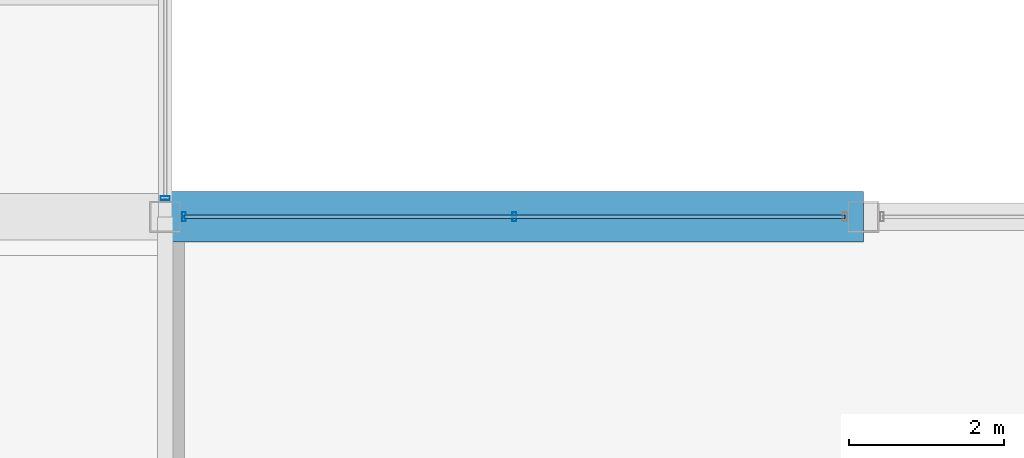
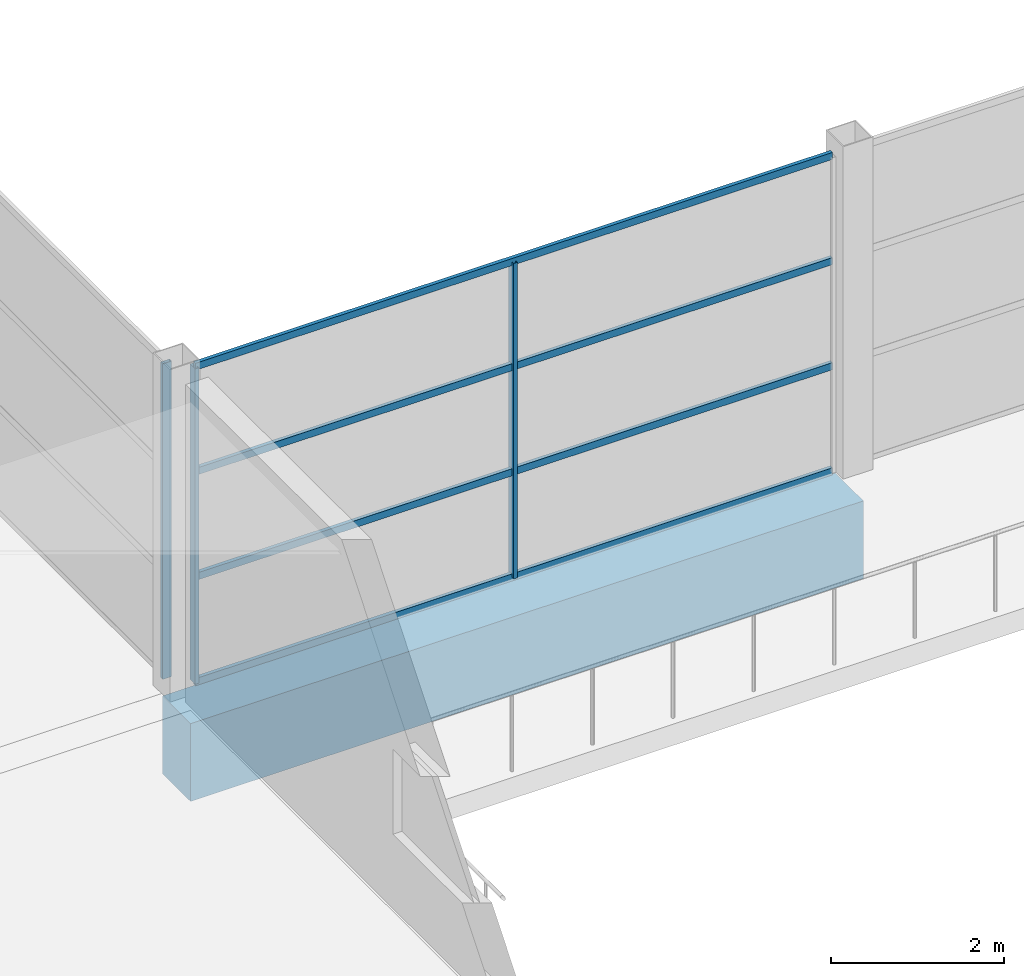
# One storey, part 65 of 112: 7 members, 1 beam, 2 elements without a shape of their own.
"""IFC4 building model written with IfcOpenShell, lengths in metres."""

from ifc_helpers import new_model, si_unit, direction, frame, origin, origin_2d, place, context, subcontext, project, spatial, rectangle, hollow_rectangle, extrude, material, material_profile, profile_set, type_object, element, aggregate, save


model = new_model("IFC4")

# Units and contexts
model_context = context("Model", 3, precision=1e-05, world=origin(), true_north=direction((0.0, 1.0)))
body_context = subcontext(model_context, "Body", "Model", "MODEL_VIEW")
ifc_project = project(units=[si_unit("LENGTHUNIT", "METRE"), si_unit("AREAUNIT", "SQUARE_METRE"), si_unit("VOLUMEUNIT", "CUBIC_METRE"), si_unit("PLANEANGLEUNIT", "RADIAN"), si_unit("MASSUNIT", "GRAM", prefix="KILO")], contexts=[model_context])

# Site, building, storey
site_placement = place(None, origin())
site = spatial("IfcSite", under=ifc_project, at=site_placement, CompositionType="ELEMENT")
building_placement = place(site_placement, origin())
building = spatial("IfcBuilding", under=site, at=building_placement, Name="Solvikara Media Centre", CompositionType="ELEMENT")
storey_placement = place(building_placement, frame((0.0, 0.0, 5.39990234375)))
storey = spatial("IfcBuildingStorey", under=building, at=storey_placement, Name="L01", CompositionType="ELEMENT", Elevation=5.39990234375)

# Beam
ifc_material_1 = material(Name="Concrete fc' 45 MPa (C45/55)", Category="concrete")
ifc_material_profile_1 = material_profile(ifc_material_1, rectangle(XDim=0.64990234375, YDim=1.10009765625, at=origin_2d()), Name="RC 650x1100")
ifc_profile_set_1 = profile_set([ifc_material_profile_1], Name="Concrete fc' 45 MPa (C45/55)")
beam_type = type_object("IfcBeamType", Name="BM-12", PredefinedType="BEAM", material=ifc_profile_set_1)
beam_placement = place(storey_placement, frame((136.5, 72.0, -0.849853515625), z_axis=(1.0, 0.0, 0.0), x_axis=(0.0, 1.0, 0.0)))
element("IfcBeam", 1, at=beam_placement, inside=storey, type_object=beam_type, Name="B-L01-X0504", PredefinedType="BEAM", context=body_context, shape_type="SweptSolid", body=[
    extrude(rectangle(XDim=0.64990234375, YDim=1.10009765625, at=origin_2d()), origin(), (0.0, 0.0, 1.0), 9.0),
])

# Curtain wall, members
ifc_material_2 = material(Name="Anodised aluminium EN AW-6063", Category="aluminium")
curtain_wall_type = type_object("IfcCurtainWallType", Name="CW-12", PredefinedType="NOTDEFINED", material=ifc_material_2)
curtain_wall_1_placement = place(storey_placement, origin())
curtain_wall_1 = element("IfcCurtainWall", 2, at=curtain_wall_1_placement, inside=storey, type_object=curtain_wall_type, Name="CW-L01-CRT-1-S1", PredefinedType="NOTDEFINED")
ifc_material_profile_2 = material_profile(ifc_material_2, hollow_rectangle(XDim=0.050048828125, YDim=0.1201171875, WallThickness=0.0029296875, at=origin_2d()), Name="ALU-M 50x120x3")
ifc_profile_set_2 = profile_set([ifc_material_profile_2], Name="Anodised aluminium EN AW-6063")
member_type_1 = type_object("IfcMemberType", Name="MF-06", PredefinedType="MULLION", material=ifc_profile_set_2)
member_1_placement = place(storey_placement, frame((136.739990234375, 72.0, 0.02001953125), z_axis=(0.0, 0.0, 1.0), x_axis=(1.0, 0.0, 0.0)))
member_1 = element("IfcMember", 3, at=member_1_placement, type_object=member_type_1, Name="CW-L01-CRT-1-S1-M00", PredefinedType="MULLION", context=body_context, shape_type="SweptSolid", body=[
    extrude(hollow_rectangle(XDim=0.050048828125, YDim=0.1201171875, WallThickness=0.0029296875, at=origin_2d()), origin(), (0.0, 0.0, 1.0), 4.4599609375),
])
member_2_placement = place(storey_placement, frame((141.0, 72.0, 0.02001953125), z_axis=(0.0, 0.0, 1.0), x_axis=(1.0, 0.0, 0.0)))
member_2 = element("IfcMember", 4, at=member_2_placement, type_object=member_type_1, Name="CW-L01-CRT-1-S1-M01", PredefinedType="MULLION", context=body_context, shape_type="SweptSolid", body=[
    extrude(hollow_rectangle(XDim=0.050048828125, YDim=0.1201171875, WallThickness=0.0029296875, at=origin_2d()), origin(), (0.0, 0.0, 1.0), 4.4599609375),
])

# Curtain wall, member
curtain_wall_2_placement = place(storey_placement, origin())
curtain_wall_2 = element("IfcCurtainWall", 5, at=curtain_wall_2_placement, inside=storey, type_object=curtain_wall_type, Name="CW-L01-CRT-4-S2", PredefinedType="NOTDEFINED")
member_3_placement = place(storey_placement, frame((136.5, 72.239990234375, 0.02001953125), z_axis=(0.0, 0.0, 1.0), x_axis=(0.0, -1.0, 0.0)))
member_3 = element("IfcMember", 6, at=member_3_placement, type_object=member_type_1, Name="CW-L01-CRT-4-S2-M02", PredefinedType="MULLION", context=body_context, shape_type="SweptSolid", body=[
    extrude(hollow_rectangle(XDim=0.050048828125, YDim=0.1201171875, WallThickness=0.0029296875, at=origin_2d()), origin(), (0.0, 0.0, 1.0), 4.4599609375),
])
aggregate(curtain_wall_2, [member_3])

# Member
ifc_material_profile_3 = material_profile(ifc_material_2, hollow_rectangle(XDim=0.050048828125, YDim=0.10009765625, WallThickness=0.0029296875, at=origin_2d()), Name="ALU-T 50x100x3")
ifc_profile_set_3 = profile_set([ifc_material_profile_3], Name="Anodised aluminium EN AW-6063")
member_type_2 = type_object("IfcMemberType", Name="MF-12", PredefinedType="USERDEFINED", material=ifc_profile_set_3)
member_4_placement = place(storey_placement, frame((136.739990234375, 72.0, 0.02001953125), z_axis=(1.0, 0.0, 0.0), x_axis=(0.0, 1.0, 0.0)))
member_4 = element("IfcMember", 7, at=member_4_placement, type_object=member_type_2, Name="CW-L01-CRT-1-S1-T00", ObjectType="TRANSOM", PredefinedType="USERDEFINED", context=body_context, shape_type="SweptSolid", body=[
    extrude(hollow_rectangle(XDim=0.050048828125, YDim=0.10009765625, WallThickness=0.0029296875, at=origin_2d()), origin(), (0.0, 0.0, 1.0), 8.52001953125),
])

member_5_placement = place(storey_placement, frame((136.739990234375, 72.0, 1.507080078125), z_axis=(1.0, 0.0, 0.0), x_axis=(0.0, 1.0, 0.0)))
member_5 = element("IfcMember", 8, at=member_5_placement, type_object=member_type_2, Name="CW-L01-CRT-1-S1-T01", ObjectType="TRANSOM", PredefinedType="USERDEFINED", context=body_context, shape_type="SweptSolid", body=[
    extrude(hollow_rectangle(XDim=0.050048828125, YDim=0.10009765625, WallThickness=0.0029296875, at=origin_2d()), origin(), (0.0, 0.0, 1.0), 8.52001953125),
])

member_6_placement = place(storey_placement, frame((136.739990234375, 72.0, 2.9931640625), z_axis=(1.0, 0.0, 0.0), x_axis=(0.0, 1.0, 0.0)))
member_6 = element("IfcMember", 9, at=member_6_placement, type_object=member_type_2, Name="CW-L01-CRT-1-S1-T02", ObjectType="TRANSOM", PredefinedType="USERDEFINED", context=body_context, shape_type="SweptSolid", body=[
    extrude(hollow_rectangle(XDim=0.050048828125, YDim=0.10009765625, WallThickness=0.0029296875, at=origin_2d()), origin(), (0.0, 0.0, 1.0), 8.52001953125),
])

member_7_placement = place(storey_placement, frame((136.739990234375, 72.0, 4.47998046875), z_axis=(1.0, 0.0, 0.0), x_axis=(0.0, 1.0, 0.0)))
member_7 = element("IfcMember", 10, at=member_7_placement, type_object=member_type_2, Name="CW-L01-CRT-1-S1-T03", ObjectType="TRANSOM", PredefinedType="USERDEFINED", context=body_context, shape_type="SweptSolid", body=[
    extrude(hollow_rectangle(XDim=0.050048828125, YDim=0.10009765625, WallThickness=0.0029296875, at=origin_2d()), origin(), (0.0, 0.0, 1.0), 8.52001953125),
])

aggregate(curtain_wall_1, [member_1, member_2, member_4, member_5, member_6, member_7])

save(model, "model.ifc")
